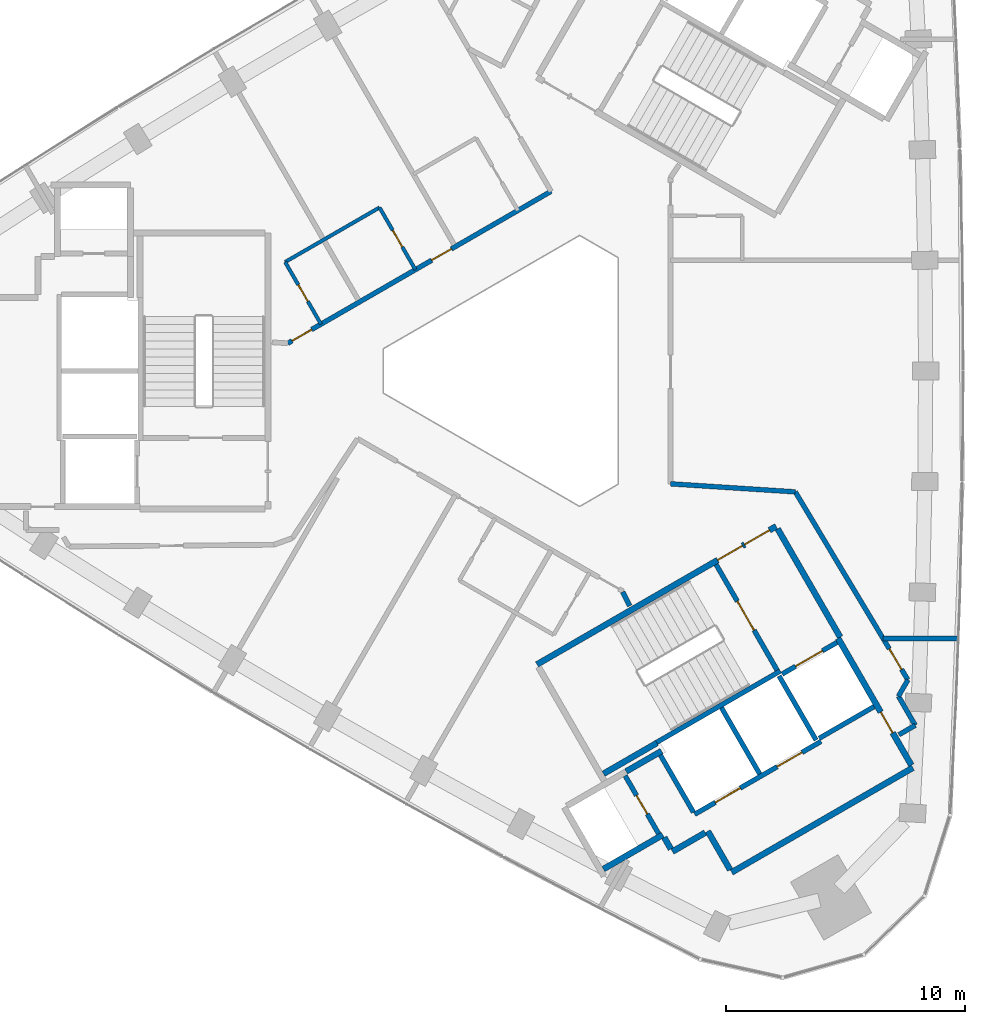
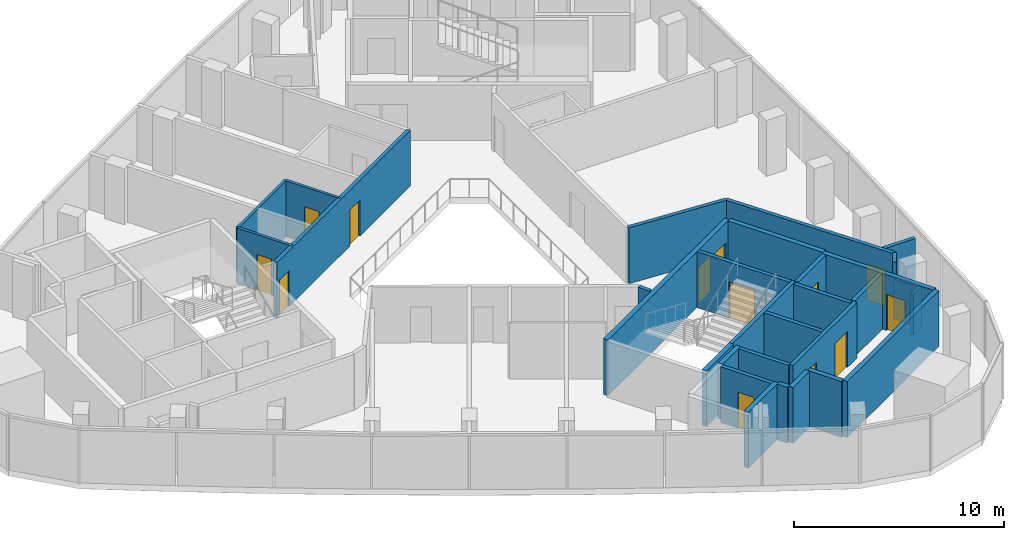
# One storey, part 8 of 11: 30 walls, 13 doors, 13 openings.
"""IFC4 building model written with IfcOpenShell, lengths in metres."""

from ifc_helpers import new_model, si_unit, direction, frame, frame_2d, origin, place, context, subcontext, project, spatial, rectangle, extrude, material, layer, layer_set, type_object, element, fill, save


model = new_model("IFC4")

# Units and contexts
model_context = context("Model", 3, precision=1e-05, world=origin(), true_north=direction((0.0, 1.0)))
body_context = subcontext(model_context, "Body", "Model", "MODEL_VIEW")
ifc_project = project(units=[si_unit("LENGTHUNIT", "METRE"), si_unit("AREAUNIT", "SQUARE_METRE"), si_unit("VOLUMEUNIT", "CUBIC_METRE"), si_unit("PLANEANGLEUNIT", "RADIAN"), si_unit("MASSUNIT", "GRAM", prefix="KILO")], contexts=[model_context])

# Site, building, storey
site_placement = place(None, origin())
site = spatial("IfcSite", under=ifc_project, at=site_placement, CompositionType="ELEMENT")
building_placement = place(site_placement, origin())
building = spatial("IfcBuilding", under=site, at=building_placement, Name="Tamra Quay Hotel Tower", CompositionType="ELEMENT")
storey_placement = place(building_placement, frame((0.0, 0.0, 225.0)))
storey = spatial("IfcBuildingStorey", under=building, at=storey_placement, Name="L56", CompositionType="ELEMENT", Elevation=225.0)

# Wall
ifc_material_1 = material(Name="Concrete M70", Category="concrete")
ifc_layer_1 = layer(ifc_material_1, 0.199951171875)
ifc_layer_set_1 = layer_set([ifc_layer_1], Name="Concrete M70 core wall 200")
wall_type_1 = type_object("IfcWallType", Name="Concrete M70 core wall 200", PredefinedType="SHEAR", material=ifc_layer_set_1)
wall_1_placement = place(storey_placement, frame((5.4189453125, -15.533935546875, 0.0), z_axis=(0.0, 0.0, 1.0), x_axis=(0.866029065029, 0.499993658486, 0.0)))
element("IfcWall", 1, at=wall_1_placement, inside=storey, type_object=wall_type_1, Name="CW2", PredefinedType="SHEAR", context=body_context, shape_type="SweptSolid", body=[
    extrude(rectangle(XDim=5.97412109375, YDim=0.199951171875, at=frame_2d((2.987060546875, 0.0))), origin(), (0.0, 0.0, 1.0), 3.25),
])

# Wall, openings, doors
wall_2_placement = place(storey_placement, frame((7.009765625, -18.54150390625, 0.0), z_axis=(0.0, 0.0, 1.0), x_axis=(0.866030299012, 0.499991521122, 0.0)))
wall_2 = element("IfcWall", 2, at=wall_2_placement, inside=storey, type_object=wall_type_1, Name="CW2", PredefinedType="SHEAR", context=body_context, shape_type="SweptSolid", body=[
    extrude(rectangle(XDim=6.10009765625, YDim=0.199951171875, at=frame_2d((3.050048828125, 0.0))), origin(), (0.0, 0.0, 1.0), 3.25),
])
opening_1_placement = place(wall_2_placement, frame((1.0, 0.0, 0.0)))
opening_1 = element("IfcOpeningElement", 3, at=opening_1_placement, cuts=wall_2, Name="Opening LD", PredefinedType="OPENING", context=body_context, shape_type="SweptSolid", body=[
    extrude(rectangle(XDim=1.199951171875, YDim=2.10009765625, at=frame_2d((0.60009765625, 1.050048828125))), frame((0.0, 0.10986328125, 0.0), z_axis=(0.0, -1.0, 0.0), x_axis=(1.0, 0.0, 0.0)), (0.0, 0.0, 1.0), 0.219970703125),
])
opening_2_placement = place(wall_2_placement, frame((3.982177734375, 0.0, 0.0)))
opening_2 = element("IfcOpeningElement", 4, at=opening_2_placement, cuts=wall_2, Name="Opening LD", PredefinedType="OPENING", context=body_context, shape_type="SweptSolid", body=[
    extrude(rectangle(XDim=1.199951171875, YDim=2.10009765625, at=frame_2d((0.60009765625, 1.050048828125))), frame((0.0, 0.10986328125, 0.0), z_axis=(0.0, -1.0, 0.0), x_axis=(1.0, 0.0, 0.0)), (0.0, 0.0, 1.0), 0.219970703125),
])
ifc_material_2 = material(Name="Landing door LD 1200 double door sliding")
door_type_1 = type_object("IfcDoorType", Name="Landing door LD 1200 double door sliding", OperationType="DOUBLE_DOOR_SLIDING", PredefinedType="DOOR", material=ifc_material_2)
door_1_placement = place(opening_1_placement, origin())
door_1 = element("IfcDoor", 5, at=door_1_placement, inside=storey, type_object=door_type_1, Name="LD", OperationType="DOUBLE_DOOR_SLIDING", OverallHeight=2.10009765625, OverallWidth=1.199951171875, PredefinedType="DOOR", context=body_context, shape_type="SweptSolid", body=[
    extrude(rectangle(XDim=1.199951171875, YDim=2.10009765625, at=frame_2d((0.60009765625, 1.050048828125))), frame((0.0, 0.02490234375, 0.0), z_axis=(0.0, -1.0, 0.0), x_axis=(1.0, 0.0, 0.0)), (0.0, 0.0, 1.0), 0.050048828125),
])
fill(opening_1, door_1)
door_2_placement = place(opening_2_placement, origin())
door_2 = element("IfcDoor", 6, at=door_2_placement, inside=storey, type_object=door_type_1, Name="LD", OperationType="DOUBLE_DOOR_SLIDING", OverallHeight=2.10009765625, OverallWidth=1.199951171875, PredefinedType="DOOR", context=body_context, shape_type="SweptSolid", body=[
    extrude(rectangle(XDim=1.199951171875, YDim=2.10009765625, at=frame_2d((0.60009765625, 1.050048828125))), frame((0.0, 0.02490234375, 0.0), z_axis=(0.0, -1.0, 0.0), x_axis=(1.0, 0.0, 0.0)), (0.0, 0.0, 1.0), 0.050048828125),
])
fill(opening_2, door_2)

# Wall, opening, door
wall_3_placement = place(storey_placement, frame((7.906494140625, -8.094482421875, 0.0), z_axis=(0.0, 0.0, 1.0), x_axis=(0.500027839223, -0.866009330205, 0.0)))
wall_3 = element("IfcWall", 7, at=wall_3_placement, inside=storey, type_object=wall_type_1, Name="CW2", PredefinedType="SHEAR", context=body_context, shape_type="SweptSolid", body=[
    extrude(rectangle(XDim=5.097900390625, YDim=0.199951171875, at=frame_2d((2.548828125, 0.0))), origin(), (0.0, 0.0, 1.0), 3.25),
])
opening_3_placement = place(wall_3_placement, frame((1.77392578125, 0.0, 0.0)))
opening_3 = element("IfcOpeningElement", 8, at=opening_3_placement, cuts=wall_3, Name="Opening FD2", PredefinedType="OPENING", context=body_context, shape_type="SweptSolid", body=[
    extrude(rectangle(XDim=1.39990234375, YDim=2.10009765625, at=frame_2d((0.699951171875, 1.050048828125))), frame((0.0, 0.10986328125, 0.0), z_axis=(0.0, -1.0, 0.0), x_axis=(1.0, 0.0, 0.0)), (0.0, 0.0, 1.0), 0.219970703125),
])
ifc_material_3 = material(Name="Core door FD2 1400x2100 LH")
door_type_2 = type_object("IfcDoorType", Name="Core door FD2 1400x2100 LH", OperationType="NOTDEFINED", PredefinedType="DOOR", material=ifc_material_3)
door_3_placement = place(opening_3_placement, origin())
door_3 = element("IfcDoor", 9, at=door_3_placement, inside=storey, type_object=door_type_2, Name="FD2", OperationType="SINGLE_SWING_LEFT", OverallHeight=2.10009765625, OverallWidth=1.39990234375, PredefinedType="DOOR", context=body_context, shape_type="SweptSolid", body=[
    extrude(rectangle(XDim=1.39990234375, YDim=2.10009765625, at=frame_2d((0.699951171875, 1.050048828125))), frame((0.0, 0.02490234375, 0.0), z_axis=(0.0, -1.0, 0.0), x_axis=(1.0, 0.0, 0.0)), (0.0, 0.0, 1.0), 0.050048828125),
])
fill(opening_3, door_3)

# Wall
wall_4_placement = place(storey_placement, frame((8.131591796875, -14.084228515625, 0.0), z_axis=(0.0, 0.0, 1.0), x_axis=(0.499997778408, -0.866026686418, 0.0)))
element("IfcWall", 10, at=wall_4_placement, inside=storey, type_object=wall_type_1, Name="CW2", PredefinedType="SHEAR", context=body_context, shape_type="SweptSolid", body=[
    extrude(rectangle(XDim=3.1982421875, YDim=0.199951171875, at=frame_2d((1.59912109375, 0.0))), origin(), (0.0, 0.0, 1.0), 3.25),
])

# Wall, opening, door
wall_5_placement = place(storey_placement, frame((5.50341796875, -19.352294921875, 0.0), z_axis=(0.0, 0.0, 1.0), x_axis=(-0.499986818241, 0.866033014143, 0.0)))
wall_5 = element("IfcWall", 11, at=wall_5_placement, inside=storey, type_object=wall_type_1, Name="CW2", PredefinedType="SHEAR", context=body_context, shape_type="SweptSolid", body=[
    extrude(rectangle(XDim=2.7978515625, YDim=0.199951171875, at=frame_2d((1.39892578125, 0.0))), origin(), (0.0, 0.0, 1.0), 3.25),
])
opening_4_placement = place(wall_5_placement, frame((0.948974609375, 0.0, 0.0)))
opening_4 = element("IfcOpeningElement", 12, at=opening_4_placement, cuts=wall_5, Name="Opening D1", PredefinedType="OPENING", context=body_context, shape_type="SweptSolid", body=[
    extrude(rectangle(XDim=0.89990234375, YDim=2.10009765625, at=frame_2d((0.449951171875, 1.050048828125))), frame((0.0, 0.10986328125, 0.0), z_axis=(0.0, -1.0, 0.0), x_axis=(1.0, 0.0, 0.0)), (0.0, 0.0, 1.0), 0.219970703125),
])
ifc_material_4 = material(Name="Core door D1 900x2100 RH")
door_type_3 = type_object("IfcDoorType", Name="Core door D1 900x2100 RH", OperationType="NOTDEFINED", PredefinedType="DOOR", material=ifc_material_4)
door_4_placement = place(opening_4_placement, origin())
door_4 = element("IfcDoor", 13, at=door_4_placement, inside=storey, type_object=door_type_3, Name="D1", OperationType="SINGLE_SWING_RIGHT", OverallHeight=2.10009765625, OverallWidth=0.89990234375, PredefinedType="DOOR", context=body_context, shape_type="SweptSolid", body=[
    extrude(rectangle(XDim=0.89990234375, YDim=2.10009765625, at=frame_2d((0.449951171875, 1.050048828125))), frame((0.0, 0.02490234375, 0.0), z_axis=(0.0, -1.0, 0.0), x_axis=(1.0, 0.0, 0.0)), (0.0, 0.0, 1.0), 0.050048828125),
])
fill(opening_4, door_4)

# Walls
wall_6_placement = place(storey_placement, frame((6.959716796875, -18.455078125, 0.0), z_axis=(0.0, 0.0, 1.0), x_axis=(-0.499926705758, 0.866067716099, 0.0)))
element("IfcWall", 14, at=wall_6_placement, inside=storey, type_object=wall_type_1, Name="CW2", PredefinedType="SHEAR", context=body_context, shape_type="SweptSolid", body=[
    extrude(rectangle(XDim=2.75927734375, YDim=0.199951171875, at=frame_2d((1.379638671875, 0.0))), origin(), (0.0, 0.0, 1.0), 3.25),
])
wall_7_placement = place(storey_placement, frame((12.087646484375, -15.4365234375, 0.0), z_axis=(0.0, 0.0, 1.0), x_axis=(-0.500026960575, 0.86600983753, 0.0)))
element("IfcWall", 15, at=wall_7_placement, inside=storey, type_object=wall_type_1, Name="CW2", PredefinedType="SHEAR", context=body_context, shape_type="SweptSolid", body=[
    extrude(rectangle(XDim=3.099853515625, YDim=0.199951171875, at=frame_2d((1.5498046875, 0.0))), origin(), (0.0, 0.0, 1.0), 3.25),
])

# Wall, opening, door
wall_8_placement = place(storey_placement, frame((10.666015625, -12.677734375, 0.0), z_axis=(0.0, 0.0, 1.0), x_axis=(0.866018407898, 0.500012117035, 0.0)))
wall_8 = element("IfcWall", 16, at=wall_8_placement, inside=storey, type_object=wall_type_1, Name="CW2", PredefinedType="SHEAR", context=body_context, shape_type="SweptSolid", body=[
    extrude(rectangle(XDim=2.65087890625, YDim=0.199951171875, at=frame_2d((1.325439453125, 0.0))), origin(), (0.0, 0.0, 1.0), 3.25),
])
opening_5_placement = place(wall_8_placement, frame((0.65185546875, 0.0, 0.0)))
opening_5 = element("IfcOpeningElement", 17, at=opening_5_placement, cuts=wall_8, Name="Opening LD", PredefinedType="OPENING", context=body_context, shape_type="SweptSolid", body=[
    extrude(rectangle(XDim=1.300048828125, YDim=2.10009765625, at=frame_2d((0.64990234375, 1.050048828125))), frame((0.0, 0.10986328125, 0.0), z_axis=(0.0, -1.0, 0.0), x_axis=(1.0, 0.0, 0.0)), (0.0, 0.0, 1.0), 0.219970703125),
])
ifc_material_5 = material(Name="Landing door LD 1300 sliding to left")
door_type_4 = type_object("IfcDoorType", Name="Landing door LD 1300 sliding to left", OperationType="NOTDEFINED", PredefinedType="DOOR", material=ifc_material_5)
door_5_placement = place(opening_5_placement, origin())
door_5 = element("IfcDoor", 18, at=door_5_placement, inside=storey, type_object=door_type_4, Name="LD", OperationType="SLIDING_TO_LEFT", OverallHeight=2.10009765625, OverallWidth=1.300048828125, PredefinedType="DOOR", context=body_context, shape_type="SweptSolid", body=[
    extrude(rectangle(XDim=1.300048828125, YDim=2.10009765625, at=frame_2d((0.64990234375, 1.050048828125))), frame((0.0, 0.02490234375, 0.0), z_axis=(0.0, -1.0, 0.0), x_axis=(1.0, 0.0, 0.0)), (0.0, 0.0, 1.0), 0.050048828125),
])
fill(opening_5, door_5)

# Wall
wall_9_placement = place(storey_placement, frame((14.51171875, -14.037109375, 0.0), z_axis=(0.0, 0.0, 1.0), x_axis=(-0.866018407898, -0.500012117035, 0.0)))
element("IfcWall", 19, at=wall_9_placement, inside=storey, type_object=wall_type_1, Name="CW2", PredefinedType="SHEAR", context=body_context, shape_type="SweptSolid", body=[
    extrude(rectangle(XDim=2.65087890625, YDim=0.199951171875, at=frame_2d((1.325439453125, 0.0))), origin(), (0.0, 0.0, 1.0), 3.25),
])

# Wall, openings, doors
ifc_layer_2 = layer(ifc_material_1, 0.25)
ifc_layer_set_2 = layer_set([ifc_layer_2], Name="Concrete M70 core wall 250")
wall_type_2 = type_object("IfcWallType", Name="Concrete M70 core wall 250", PredefinedType="SHEAR", material=ifc_layer_set_2)
wall_10_placement = place(storey_placement, frame((0.417236328125, -12.27294921875, 0.0), z_axis=(0.0, 0.0, 1.0), x_axis=(0.866021906294, 0.500006057782, 0.0)))
wall_10 = element("IfcWall", 20, at=wall_10_placement, inside=storey, type_object=wall_type_2, Name="CW1", PredefinedType="SHEAR", context=body_context, shape_type="SweptSolid", body=[
    extrude(rectangle(XDim=11.550048828125, YDim=0.25, at=frame_2d((5.77490234375, 0.0))), origin(), (0.0, 0.0, 1.0), 3.25),
])
opening_6_placement = place(wall_10_placement, frame((10.024658203125, 0.0, 0.0)))
opening_6 = element("IfcOpeningElement", 21, at=opening_6_placement, cuts=wall_10, Name="Opening FD1", PredefinedType="OPENING", context=body_context, shape_type="SweptSolid", body=[
    extrude(rectangle(XDim=1.199951171875, YDim=2.10009765625, at=frame_2d((0.60009765625, 1.050048828125))), frame((0.0, 0.135009765625, 0.0), z_axis=(0.0, -1.0, 0.0), x_axis=(1.0, 0.0, 0.0)), (0.0, 0.0, 1.0), 0.27001953125),
])
opening_7_placement = place(wall_10_placement, frame((8.724609375, 0.0, 0.0)))
opening_7 = element("IfcOpeningElement", 22, at=opening_7_placement, cuts=wall_10, Name="Opening FD1", PredefinedType="OPENING", context=body_context, shape_type="SweptSolid", body=[
    extrude(rectangle(XDim=1.199951171875, YDim=2.10009765625, at=frame_2d((0.60009765625, 1.050048828125))), frame((0.0, 0.135009765625, 0.0), z_axis=(0.0, -1.0, 0.0), x_axis=(1.0, 0.0, 0.0)), (0.0, 0.0, 1.0), 0.27001953125),
])
ifc_material_6 = material(Name="Core door FD1 1200x2100 LH")
door_type_5 = type_object("IfcDoorType", Name="Core door FD1 1200x2100 LH", OperationType="NOTDEFINED", PredefinedType="DOOR", material=ifc_material_6)
door_6_placement = place(opening_6_placement, origin())
door_6 = element("IfcDoor", 23, at=door_6_placement, inside=storey, type_object=door_type_5, Name="FD1", OperationType="SINGLE_SWING_LEFT", OverallHeight=2.10009765625, OverallWidth=1.199951171875, PredefinedType="DOOR", context=body_context, shape_type="SweptSolid", body=[
    extrude(rectangle(XDim=1.199951171875, YDim=2.10009765625, at=frame_2d((0.60009765625, 1.050048828125))), frame((0.0, 0.02490234375, 0.0), z_axis=(0.0, -1.0, 0.0), x_axis=(1.0, 0.0, 0.0)), (0.0, 0.0, 1.0), 0.050048828125),
])
fill(opening_6, door_6)
ifc_material_7 = material(Name="Core door FD1 1200x2100 RH")
door_type_6 = type_object("IfcDoorType", Name="Core door FD1 1200x2100 RH", OperationType="NOTDEFINED", PredefinedType="DOOR", material=ifc_material_7)
door_7_placement = place(opening_7_placement, origin())
door_7 = element("IfcDoor", 24, at=door_7_placement, inside=storey, type_object=door_type_6, Name="FD1", OperationType="SINGLE_SWING_RIGHT", OverallHeight=2.10009765625, OverallWidth=1.199951171875, PredefinedType="DOOR", context=body_context, shape_type="SweptSolid", body=[
    extrude(rectangle(XDim=1.199951171875, YDim=2.10009765625, at=frame_2d((0.60009765625, 1.050048828125))), frame((0.0, 0.02490234375, 0.0), z_axis=(0.0, -1.0, 0.0), x_axis=(1.0, 0.0, 0.0)), (0.0, 0.0, 1.0), 0.050048828125),
])
fill(opening_7, door_7)

# Wall
wall_11_placement = place(storey_placement, frame((16.13330078125, -16.59375, 0.0), z_axis=(0.0, 0.0, 1.0), x_axis=(-0.866022959057, -0.500004234368, 0.0)))
element("IfcWall", 25, at=wall_11_placement, inside=storey, type_object=wall_type_2, Name="CW1", PredefinedType="SHEAR", context=body_context, shape_type="SweptSolid", body=[
    extrude(rectangle(XDim=8.75, YDim=0.25, at=frame_2d((4.375, 0.0))), origin(), (0.0, 0.0, 1.0), 3.25),
])

# Wall, opening, door
wall_12_placement = place(storey_placement, frame((13.00830078125, -11.18115234375, 0.0), z_axis=(0.0, 0.0, 1.0), x_axis=(0.500001955336, -0.866024274868, 0.0)))
wall_12 = element("IfcWall", 26, at=wall_12_placement, inside=storey, type_object=wall_type_2, Name="CW1", PredefinedType="SHEAR", context=body_context, shape_type="SweptSolid", body=[
    extrude(rectangle(XDim=6.12451171875, YDim=0.25, at=frame_2d((3.062255859375, 0.0))), origin(), (0.0, 0.0, 1.0), 3.25),
])
opening_8_placement = place(wall_12_placement, frame((3.562744140625, 0.0, 0.0)))
opening_8 = element("IfcOpeningElement", 27, at=opening_8_placement, cuts=wall_12, Name="Opening FD3", PredefinedType="OPENING", context=body_context, shape_type="SweptSolid", body=[
    extrude(rectangle(XDim=1.0, YDim=2.10009765625, at=frame_2d((0.5, 1.050048828125))), frame((0.0, 0.135009765625, 0.0), z_axis=(0.0, -1.0, 0.0), x_axis=(1.0, 0.0, 0.0)), (0.0, 0.0, 1.0), 0.27001953125),
])
ifc_material_8 = material(Name="Core door FD3 1000x2100 LH")
door_type_7 = type_object("IfcDoorType", Name="Core door FD3 1000x2100 LH", OperationType="NOTDEFINED", PredefinedType="DOOR", material=ifc_material_8)
door_8_placement = place(opening_8_placement, origin())
door_8 = element("IfcDoor", 28, at=door_8_placement, inside=storey, type_object=door_type_7, Name="FD3", OperationType="SINGLE_SWING_LEFT", OverallHeight=2.10009765625, OverallWidth=1.0, PredefinedType="DOOR", context=body_context, shape_type="SweptSolid", body=[
    extrude(rectangle(XDim=1.0, YDim=2.10009765625, at=frame_2d((0.5, 1.050048828125))), frame((0.0, 0.02490234375, 0.0), z_axis=(0.0, -1.0, 0.0), x_axis=(1.0, 0.0, 0.0)), (0.0, 0.0, 1.0), 0.050048828125),
])
fill(opening_8, door_8)

# Walls
wall_13_placement = place(storey_placement, frame((10.482666015625, -6.6064453125, 0.0), z_axis=(0.0, 0.0, 1.0), x_axis=(0.49999885962, -0.866026062182, 0.0)))
element("IfcWall", 29, at=wall_13_placement, inside=storey, type_object=wall_type_2, Name="CW1", PredefinedType="SHEAR", context=body_context, shape_type="SweptSolid", body=[
    extrude(rectangle(XDim=5.224609375, YDim=0.25, at=frame_2d((2.6123046875, 0.0))), origin(), (0.0, 0.0, 1.0), 3.25),
])
wall_14_placement = place(storey_placement, frame((5.6748046875, -19.39892578125, 0.0), z_axis=(0.0, 0.0, 1.0), x_axis=(-0.866026637627, -0.499997862916, 0.0)))
element("IfcWall", 30, at=wall_14_placement, inside=storey, type_object=wall_type_2, Name="CW1", PredefinedType="SHEAR", context=body_context, shape_type="SweptSolid", body=[
    extrude(rectangle(XDim=2.86474609375, YDim=0.25, at=frame_2d((1.432373046875, 0.0))), origin(), (0.0, 0.0, 1.0), 3.25),
])
wall_15_placement = place(storey_placement, frame((5.4306640625, -15.55615234375, 0.0), z_axis=(0.0, 0.0, 1.0), x_axis=(-0.866022940537, -0.500004266446, 0.0)))
element("IfcWall", 31, at=wall_15_placement, inside=storey, type_object=wall_type_2, Name="CW1", PredefinedType="SHEAR", context=body_context, shape_type="SweptSolid", body=[
    extrude(rectangle(XDim=2.57470703125, YDim=0.25, at=frame_2d((1.287353515625, 0.0))), origin(), (0.0, 0.0, 1.0), 3.25),
])
wall_16_placement = place(storey_placement, frame((8.492919921875, -20.860107421875, 0.0), z_axis=(0.0, 0.0, 1.0), x_axis=(-0.500039802285, 0.866002422705, 0.0)))
element("IfcWall", 32, at=wall_16_placement, inside=storey, type_object=wall_type_2, Name="CW1", PredefinedType="SHEAR", context=body_context, shape_type="SweptSolid", body=[
    extrude(rectangle(XDim=1.864501953125, YDim=0.25, at=frame_2d((0.93212890625, 0.0))), origin(), (0.0, 0.0, 1.0), 3.25),
])
wall_17_placement = place(storey_placement, frame((4.144775390625, -16.748779296875, 0.0), z_axis=(0.0, 0.0, 1.0), x_axis=(0.866038183914, 0.499977863513, 0.0)))
element("IfcWall", 33, at=wall_17_placement, inside=storey, type_object=wall_type_2, Name="CW1", PredefinedType="SHEAR", context=body_context, shape_type="SweptSolid", body=[
    extrude(rectangle(XDim=1.7099609375, YDim=0.25, at=frame_2d((0.85498046875, 0.0))), origin(), (0.0, 0.0, 1.0), 3.25),
])
wall_18_placement = place(storey_placement, frame((7.451904296875, -19.30810546875, 0.0), z_axis=(0.0, 0.0, 1.0), x_axis=(-0.866044474677, -0.49996696679, 0.0)))
element("IfcWall", 34, at=wall_18_placement, inside=storey, type_object=wall_type_2, Name="CW1", PredefinedType="SHEAR", context=body_context, shape_type="SweptSolid", body=[
    extrude(rectangle(XDim=1.58447265625, YDim=0.25, at=frame_2d((0.792236328125, 0.0))), origin(), (0.0, 0.0, 1.0), 3.25),
])
wall_19_placement = place(storey_placement, frame((6.01708984375, -19.99169921875, 0.0), z_axis=(0.0, 0.0, 1.0), x_axis=(-0.500364886717, 0.865814633822, 0.0)))
element("IfcWall", 35, at=wall_19_placement, inside=storey, type_object=wall_type_2, Name="CW1", PredefinedType="SHEAR", context=body_context, shape_type="SweptSolid", body=[
    extrude(rectangle(XDim=0.55908203125, YDim=0.25, at=frame_2d((0.279541015625, 0.0))), origin(), (0.0, 0.0, 1.0), 3.25),
])

# Wall, openings, doors
ifc_material_9 = material(Name="Partition corridor wall")
ifc_layer_3 = layer(ifc_material_9, 0.199951171875)
ifc_layer_set_3 = layer_set([ifc_layer_3], Name="Partition corridor wall")
wall_type_3 = type_object("IfcWallType", Name="Partition corridor wall", PredefinedType="PARTITIONING", material=ifc_layer_set_3)
wall_20_placement = place(storey_placement, frame((-10.0, 1.155029296875, 0.0), z_axis=(0.0, 0.0, 1.0), x_axis=(0.866014095592, 0.500019585852, 0.0)))
wall_20 = element("IfcWall", 36, at=wall_20_placement, inside=storey, type_object=wall_type_3, Name="W-C", PredefinedType="PARTITIONING", context=body_context, shape_type="SweptSolid", body=[
    extrude(rectangle(XDim=12.70751953125, YDim=0.199951171875, at=frame_2d((6.353759765625, 0.0))), origin(), (0.0, 0.0, 1.0), 3.25),
])
opening_9_placement = place(wall_20_placement, frame((6.9443359375, 0.0, 0.0)))
opening_9 = element("IfcOpeningElement", 37, at=opening_9_placement, cuts=wall_20, Name="Opening L56-D005", PredefinedType="OPENING", context=body_context, shape_type="SweptSolid", body=[
    extrude(rectangle(XDim=0.949951171875, YDim=2.10009765625, at=frame_2d((0.47509765625, 1.050048828125))), frame((0.0, 0.10986328125, 0.0), z_axis=(0.0, -1.0, 0.0), x_axis=(1.0, 0.0, 0.0)), (0.0, 0.0, 1.0), 0.219970703125),
])
opening_10_placement = place(wall_20_placement, frame((0.199951171875, 0.0, 0.0)))
opening_10 = element("IfcOpeningElement", 38, at=opening_10_placement, cuts=wall_20, Name="Opening L56-D007", PredefinedType="OPENING", context=body_context, shape_type="SweptSolid", body=[
    extrude(rectangle(XDim=0.949951171875, YDim=2.10009765625, at=frame_2d((0.47509765625, 1.050048828125))), frame((0.0, 0.10986328125, 0.0), z_axis=(0.0, -1.0, 0.0), x_axis=(1.0, 0.0, 0.0)), (0.0, 0.0, 1.0), 0.219970703125),
])
ifc_material_10 = material(Name="Door guest room 950x2100")
door_type_8 = type_object("IfcDoorType", Name="Door guest room 950x2100", OperationType="NOTDEFINED", PredefinedType="DOOR", material=ifc_material_10)
door_9_placement = place(opening_9_placement, origin())
door_9 = element("IfcDoor", 39, at=door_9_placement, inside=storey, type_object=door_type_8, Name="L56-D005", OperationType="SINGLE_SWING_LEFT", OverallHeight=2.10009765625, OverallWidth=0.949951171875, PredefinedType="DOOR", context=body_context, shape_type="SweptSolid", body=[
    extrude(rectangle(XDim=0.949951171875, YDim=2.10009765625, at=frame_2d((0.47509765625, 1.050048828125))), frame((0.0, 0.02490234375, 0.0), z_axis=(0.0, -1.0, 0.0), x_axis=(1.0, 0.0, 0.0)), (0.0, 0.0, 1.0), 0.050048828125),
])
fill(opening_9, door_9)
door_10_placement = place(opening_10_placement, origin())
door_10 = element("IfcDoor", 40, at=door_10_placement, inside=storey, type_object=door_type_8, Name="L56-D007", OperationType="SINGLE_SWING_LEFT", OverallHeight=2.10009765625, OverallWidth=0.949951171875, PredefinedType="DOOR", context=body_context, shape_type="SweptSolid", body=[
    extrude(rectangle(XDim=0.949951171875, YDim=2.10009765625, at=frame_2d((0.47509765625, 1.050048828125))), frame((0.0, 0.02490234375, 0.0), z_axis=(0.0, -1.0, 0.0), x_axis=(1.0, 0.0, 0.0)), (0.0, 0.0, 1.0), 0.050048828125),
])
fill(opening_10, door_10)

# Walls
wall_21_placement = place(storey_placement, frame((4.0, -9.238037109375, 0.0), z_axis=(0.0, 0.0, 1.0), x_axis=(0.444370954227, -0.89584287408, 0.0)))
element("IfcWall", 41, at=wall_21_placement, inside=storey, type_object=wall_type_3, Name="W-C", PredefinedType="PARTITIONING", context=body_context, shape_type="SweptSolid", body=[
    extrude(rectangle(XDim=0.6533203125, YDim=0.199951171875, at=frame_2d((0.32666015625, 0.0))), origin(), (0.0, 0.0, 1.0), 3.25),
])
wall_22_placement = place(storey_placement, frame((6.0, -4.720947265625, 0.0), z_axis=(0.0, 0.0, 1.0), x_axis=(0.997917460423, -0.064503815251, 0.0)))
element("IfcWall", 42, at=wall_22_placement, inside=storey, type_object=wall_type_3, Name="W-C", PredefinedType="PARTITIONING", context=body_context, shape_type="SweptSolid", body=[
    extrude(rectangle(XDim=5.22705078125, YDim=0.199951171875, at=frame_2d((2.613525390625, 0.0))), origin(), (0.0, 0.0, 1.0), 3.25),
])

# Wall, opening, door
wall_23_placement = place(storey_placement, frame((11.216796875, -5.0576171875, 0.0), z_axis=(0.0, 0.0, 1.0), x_axis=(0.513856906336, -0.857875911662, 0.0)))
wall_23 = element("IfcWall", 43, at=wall_23_placement, inside=storey, type_object=wall_type_3, Name="W-C", PredefinedType="PARTITIONING", context=body_context, shape_type="SweptSolid", body=[
    extrude(rectangle(XDim=9.16259765625, YDim=0.199951171875, at=frame_2d((4.581298828125, 0.0))), origin(), (0.0, 0.0, 1.0), 3.25),
])
opening_11_placement = place(wall_23_placement, frame((7.649658203125, 0.0, 0.0)))
opening_11 = element("IfcOpeningElement", 44, at=opening_11_placement, cuts=wall_23, Name="Opening L56-D015", PredefinedType="OPENING", context=body_context, shape_type="SweptSolid", body=[
    extrude(rectangle(XDim=1.0, YDim=2.10009765625, at=frame_2d((0.5, 1.050048828125))), frame((0.0, 0.10986328125, 0.0), z_axis=(0.0, -1.0, 0.0), x_axis=(1.0, 0.0, 0.0)), (0.0, 0.0, 1.0), 0.219970703125),
])
ifc_material_11 = material(Name="Door guest room 1000x2100")
door_type_9 = type_object("IfcDoorType", Name="Door guest room 1000x2100", OperationType="NOTDEFINED", PredefinedType="DOOR", material=ifc_material_11)
door_11_placement = place(opening_11_placement, frame((1.0, 0.0, 0.0), z_axis=(0.0, 0.0, 1.0), x_axis=(-1.0, 0.0, 0.0)))
door_11 = element("IfcDoor", 45, at=door_11_placement, inside=storey, type_object=door_type_9, Name="L56-D015", OperationType="SINGLE_SWING_LEFT", OverallHeight=2.10009765625, OverallWidth=1.0, PredefinedType="DOOR", context=body_context, shape_type="SweptSolid", body=[
    extrude(rectangle(XDim=1.0, YDim=2.10009765625, at=frame_2d((0.5, 1.050048828125))), frame((0.0, 0.02490234375, 0.0), z_axis=(0.0, -1.0, 0.0), x_axis=(1.0, 0.0, 0.0)), (0.0, 0.0, 1.0), 0.050048828125),
])
fill(opening_11, door_11)

# Walls
wall_24_placement = place(storey_placement, frame((15.5498046875, -15.213134765625, 0.0), z_axis=(0.0, 0.0, 1.0), x_axis=(0.865989998118, 0.500061319399, 0.0)))
element("IfcWall", 46, at=wall_24_placement, inside=storey, type_object=wall_type_3, Name="W-C", PredefinedType="PARTITIONING", context=body_context, shape_type="SweptSolid", body=[
    extrude(rectangle(XDim=0.7900390625, YDim=0.199951171875, at=frame_2d((0.39501953125, 0.0))), origin(), (0.0, 0.0, 1.0), 2.35009765625),
])
wall_25_placement = place(storey_placement, frame((15.531982421875, -13.60302734375, 0.0), z_axis=(0.0, 0.0, 1.0), x_axis=(0.498203662485, 0.867060038686, 0.0)))
element("IfcWall", 47, at=wall_25_placement, inside=storey, type_object=wall_type_3, Name="W-C", PredefinedType="PARTITIONING", context=body_context, shape_type="SweptSolid", body=[
    extrude(rectangle(XDim=0.7890625, YDim=0.199951171875, at=frame_2d((0.39453125, 0.0))), origin(), (0.0, 0.0, 1.0), 3.25),
])
wall_26_placement = place(storey_placement, frame((15.531982421875, -13.60302734375, 0.0), z_axis=(0.0, 0.0, 1.0), x_axis=(0.500199332748, -0.865910288378, 0.0)))
element("IfcWall", 48, at=wall_26_placement, inside=storey, type_object=wall_type_3, Name="W-C", PredefinedType="PARTITIONING", context=body_context, shape_type="SweptSolid", body=[
    extrude(rectangle(XDim=1.4033203125, YDim=0.199951171875, at=frame_2d((0.70166015625, 0.0))), origin(), (0.0, 0.0, 1.0), 2.35009765625),
])

# Wall, opening, door
ifc_material_12 = material(Name="Partition en-suite wall")
ifc_layer_4 = layer(ifc_material_12, 0.14990234375)
ifc_layer_set_4 = layer_set([ifc_layer_4], Name="Partition en-suite wall")
wall_type_4 = type_object("IfcWallType", Name="Partition en-suite wall", PredefinedType="PARTITIONING", material=ifc_layer_set_4)
wall_27_placement = place(storey_placement, frame((-10.114013671875, 4.552978515625, 0.0), z_axis=(0.0, 0.0, 1.0), x_axis=(0.50002537861, -0.866010750942, 0.0)))
wall_27 = element("IfcWall", 49, at=wall_27_placement, inside=storey, type_object=wall_type_4, Name="W-E", PredefinedType="PARTITIONING", context=body_context, shape_type="SweptSolid", body=[
    extrude(rectangle(XDim=2.999755859375, YDim=0.14990234375, at=frame_2d((1.5, 0.0))), origin(), (0.0, 0.0, 1.0), 3.25),
])
opening_12_placement = place(wall_27_placement, frame((1.099853515625, 0.0, 0.0)))
opening_12 = element("IfcOpeningElement", 50, at=opening_12_placement, cuts=wall_27, Name="Opening L56-D008", PredefinedType="OPENING", context=body_context, shape_type="SweptSolid", body=[
    extrude(rectangle(XDim=0.800048828125, YDim=2.10009765625, at=frame_2d((0.39990234375, 1.050048828125))), frame((0.0, 0.0849609375, 0.0), z_axis=(0.0, -1.0, 0.0), x_axis=(1.0, 0.0, 0.0)), (0.0, 0.0, 1.0), 0.169921875),
])
ifc_material_13 = material(Name="Door en-suite 800x2100")
door_type_10 = type_object("IfcDoorType", Name="Door en-suite 800x2100", OperationType="NOTDEFINED", PredefinedType="DOOR", material=ifc_material_13)
door_12_placement = place(opening_12_placement, frame((0.800048828125, 0.0, 0.0), z_axis=(0.0, 0.0, 1.0), x_axis=(-1.0, 0.0, 0.0)))
door_12 = element("IfcDoor", 51, at=door_12_placement, inside=storey, type_object=door_type_10, Name="L56-D008", OperationType="SINGLE_SWING_LEFT", OverallHeight=2.10009765625, OverallWidth=0.800048828125, PredefinedType="DOOR", context=body_context, shape_type="SweptSolid", body=[
    extrude(rectangle(XDim=0.800048828125, YDim=2.10009765625, at=frame_2d((0.39990234375, 1.050048828125))), frame((0.0, 0.02490234375, 0.0), z_axis=(0.0, -1.0, 0.0), x_axis=(1.0, 0.0, 0.0)), (0.0, 0.0, 1.0), 0.050048828125),
])
fill(opening_12, door_12)

# Wall
wall_28_placement = place(storey_placement, frame((-10.114013671875, 4.552978515625, 0.0), z_axis=(0.0, 0.0, 1.0), x_axis=(0.866002713795, 0.500039298155, 0.0)))
element("IfcWall", 52, at=wall_28_placement, inside=storey, type_object=wall_type_4, Name="W-E", PredefinedType="PARTITIONING", context=body_context, shape_type="SweptSolid", body=[
    extrude(rectangle(XDim=4.557861328125, YDim=0.14990234375, at=frame_2d((2.27880859375, 0.0))), origin(), (0.0, 0.0, 1.0), 3.25),
])

# Wall, opening, door
wall_29_placement = place(storey_placement, frame((-6.1669921875, 6.83203125, 0.0), z_axis=(0.0, 0.0, 1.0), x_axis=(0.499990139034, -0.866031096941, 0.0)))
wall_29 = element("IfcWall", 53, at=wall_29_placement, inside=storey, type_object=wall_type_4, Name="W-E", PredefinedType="PARTITIONING", context=body_context, shape_type="SweptSolid", body=[
    extrude(rectangle(XDim=3.0, YDim=0.14990234375, at=frame_2d((1.5, 0.0))), origin(), (0.0, 0.0, 1.0), 3.25),
])
opening_13_placement = place(wall_29_placement, frame((1.10009765625, 0.0, 0.0)))
opening_13 = element("IfcOpeningElement", 54, at=opening_13_placement, cuts=wall_29, Name="Opening L56-D006", PredefinedType="OPENING", context=body_context, shape_type="SweptSolid", body=[
    extrude(rectangle(XDim=0.800048828125, YDim=2.10009765625, at=frame_2d((0.39990234375, 1.050048828125))), frame((0.0, 0.0849609375, 0.0), z_axis=(0.0, -1.0, 0.0), x_axis=(1.0, 0.0, 0.0)), (0.0, 0.0, 1.0), 0.169921875),
])
door_13_placement = place(opening_13_placement, frame((0.800048828125, 0.0, 0.0), z_axis=(0.0, 0.0, 1.0), x_axis=(-1.0, 0.0, 0.0)))
door_13 = element("IfcDoor", 55, at=door_13_placement, inside=storey, type_object=door_type_10, Name="L56-D006", OperationType="SINGLE_SWING_LEFT", OverallHeight=2.10009765625, OverallWidth=0.800048828125, PredefinedType="DOOR", context=body_context, shape_type="SweptSolid", body=[
    extrude(rectangle(XDim=0.800048828125, YDim=2.10009765625, at=frame_2d((0.39990234375, 1.050048828125))), frame((0.0, 0.02490234375, 0.0), z_axis=(0.0, -1.0, 0.0), x_axis=(1.0, 0.0, 0.0)), (0.0, 0.0, 1.0), 0.050048828125),
])
fill(opening_13, door_13)

# Wall
ifc_material_14 = material(Name="Partition party wall")
ifc_layer_5 = layer(ifc_material_14, 0.199951171875)
ifc_layer_set_5 = layer_set([ifc_layer_5], Name="Partition party wall")
wall_type_5 = type_object("IfcWallType", Name="Partition party wall", PredefinedType="PARTITIONING", material=ifc_layer_set_5)
wall_30_placement = place(storey_placement, frame((14.889892578125, -11.19091796875, 0.0), z_axis=(0.0, 0.0, 1.0), x_axis=(1.0, 0.0, 0.0)))
element("IfcWall", 56, at=wall_30_placement, inside=storey, type_object=wall_type_5, Name="W-P", PredefinedType="PARTITIONING", context=body_context, shape_type="SweptSolid", body=[
    extrude(rectangle(XDim=3.14208984375, YDim=0.199951171875, at=frame_2d((1.571044921875, 0.0))), origin(), (0.0, 0.0, 1.0), 2.35009765625),
])

save(model, "model.ifc")
